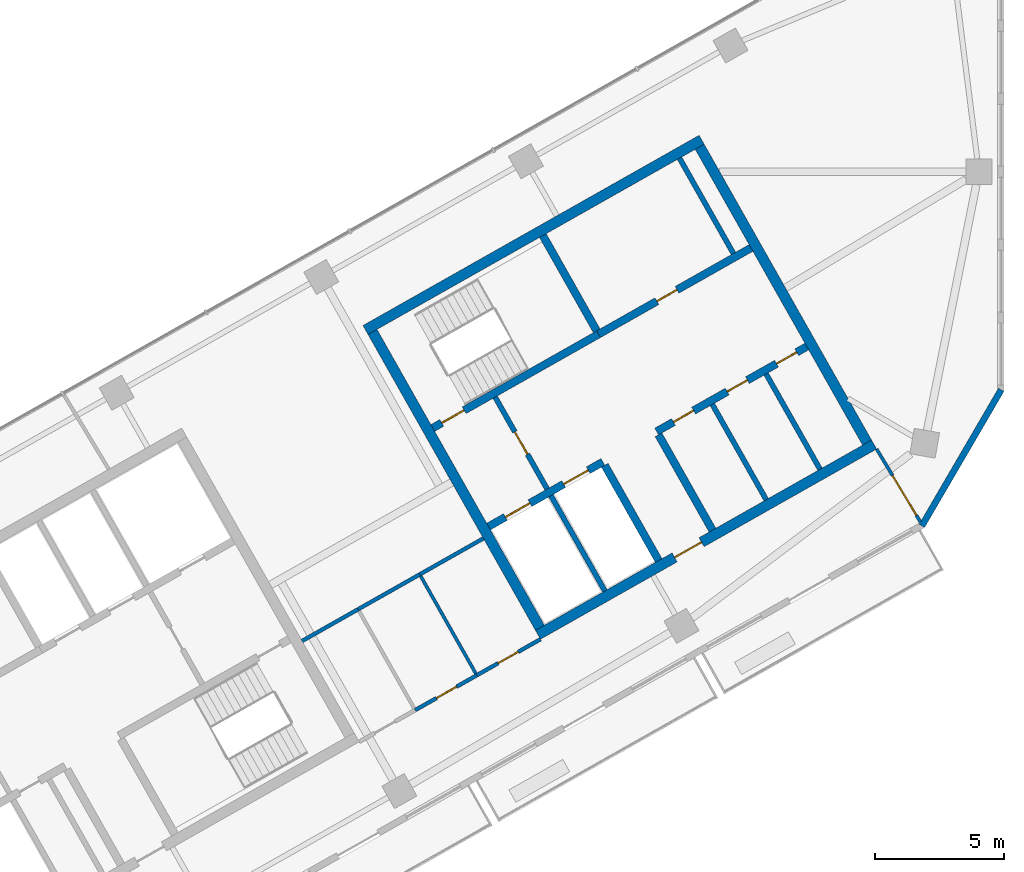
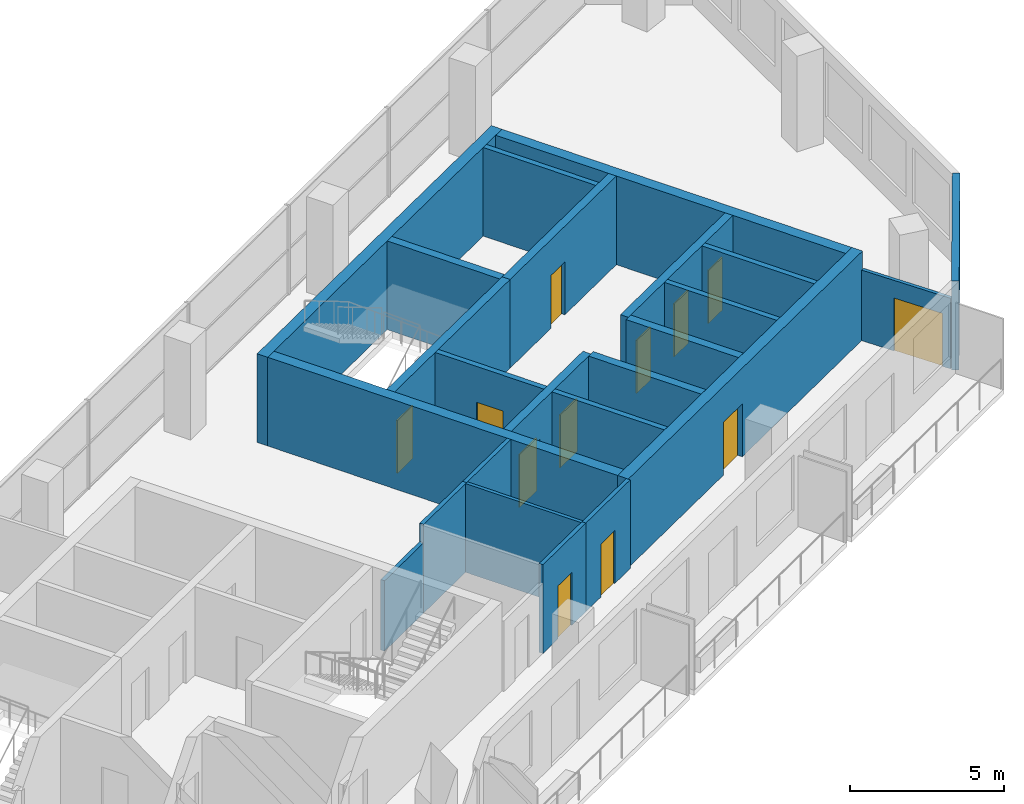
# One storey, part 7 of 10: 24 walls, 12 doors, 12 openings.
"""IFC4 building model written with IfcOpenShell, lengths in metres."""

from ifc_helpers import new_model, si_unit, direction, frame, frame_2d, origin, place, context, subcontext, project, spatial, rectangle, extrude, material, layer, layer_set, type_object, element, fill, save


model = new_model("IFC4")

# Units and contexts
model_context = context("Model", 3, precision=1e-05, world=origin(), true_north=direction((0.0, 1.0)))
body_context = subcontext(model_context, "Body", "Model", "MODEL_VIEW")
ifc_project = project(units=[si_unit("LENGTHUNIT", "METRE"), si_unit("AREAUNIT", "SQUARE_METRE"), si_unit("VOLUMEUNIT", "CUBIC_METRE"), si_unit("PLANEANGLEUNIT", "RADIAN"), si_unit("MASSUNIT", "GRAM", prefix="KILO")], contexts=[model_context])

# Site, building, storey
site_placement = place(None, origin())
site = spatial("IfcSite", under=ifc_project, at=site_placement, CompositionType="ELEMENT")
building_placement = place(site_placement, origin())
building = spatial("IfcBuilding", under=site, at=building_placement, Name="Binnacle Exchange Tower", CompositionType="ELEMENT")
storey_placement = place(building_placement, frame((0.0, 0.0, 335.5)))
storey = spatial("IfcBuildingStorey", under=building, at=storey_placement, Name="L76", CompositionType="ELEMENT", Elevation=335.5)

# Walls
ifc_material_1 = material(Name="Gypsum partition fire rated")
ifc_layer_1 = layer(ifc_material_1, 0.199951171875)
ifc_layer_set_1 = layer_set([ifc_layer_1], Name="Core partition 200")
wall_type_1 = type_object("IfcWallType", Name="Core partition 200", PredefinedType="PARTITIONING", material=ifc_layer_set_1)
wall_1_placement = place(storey_placement, frame((-11.201904296875, 50.96240234375, 0.0), z_axis=(0.0, 0.0, 1.0), x_axis=(0.492441437811, -0.870345580977, 0.0)))
element("IfcWall", 1, at=wall_1_placement, inside=storey, type_object=wall_type_1, Name="Core wall CRWC19", PredefinedType="PARTITIONING", context=body_context, shape_type="SweptSolid", body=[
    extrude(rectangle(XDim=4.250244140625, YDim=0.199951171875, at=frame_2d((2.125, 0.0))), origin(), (0.0, 0.0, 1.0), 3.52001953125),
])
wall_2_placement = place(storey_placement, frame((-9.11279296875, 52.14404296875, 0.0), z_axis=(0.0, 0.0, 1.0), x_axis=(0.492422543467, -0.870356271124, 0.0)))
element("IfcWall", 2, at=wall_2_placement, inside=storey, type_object=wall_type_1, Name="Core wall CRWC22", PredefinedType="PARTITIONING", context=body_context, shape_type="SweptSolid", body=[
    extrude(rectangle(XDim=4.25, YDim=0.199951171875, at=frame_2d((2.125, 0.0))), origin(), (0.0, 0.0, 1.0), 3.52001953125),
])

# Wall, openings, doors
ifc_material_2 = material(Name="Concrete C70/85", Category="concrete")
ifc_layer_2 = layer(ifc_material_2, 0.300048828125)
ifc_layer_set_2 = layer_set([ifc_layer_2], Name="Core wall - front 300")
wall_type_2 = type_object("IfcWallType", Name="Core wall - front 300", PredefinedType="SOLIDWALL", material=ifc_layer_set_2)
wall_3_placement = place(storey_placement, frame((-19.89208984375, 46.2177734375, 0.0), z_axis=(0.0, 0.0, 1.0), x_axis=(0.870341639186, 0.492448404505, 0.0)))
wall_3 = element("IfcWall", 3, at=wall_3_placement, inside=storey, type_object=wall_type_2, Name="Core wall CRWC2", PredefinedType="SOLIDWALL", context=body_context, shape_type="SweptSolid", body=[
    extrude(rectangle(XDim=5.099853515625, YDim=0.300048828125, at=frame_2d((2.5498046875, 0.0))), origin(), (0.0, 0.0, 1.0), 3.52001953125),
])
opening_1_placement = place(wall_3_placement, frame((0.75, 0.0, 0.0)))
opening_1 = element("IfcOpeningElement", 4, at=opening_1_placement, cuts=wall_3, Name="Opening LD14", PredefinedType="OPENING", context=body_context, shape_type="SweptSolid", body=[
    extrude(rectangle(XDim=1.10009765625, YDim=2.10009765625, at=frame_2d((0.550048828125, 1.050048828125))), frame((0.0, 0.159912109375, 0.0), z_axis=(0.0, -1.0, 0.0), x_axis=(1.0, 0.0, 0.0)), (0.0, 0.0, 1.0), 0.320068359375),
])
opening_2_placement = place(wall_3_placement, frame((3.35009765625, 0.0, 0.0)))
opening_2 = element("IfcOpeningElement", 5, at=opening_2_placement, cuts=wall_3, Name="Opening LD11", PredefinedType="OPENING", context=body_context, shape_type="SweptSolid", body=[
    extrude(rectangle(XDim=1.10009765625, YDim=2.10009765625, at=frame_2d((0.550048828125, 1.050048828125))), frame((0.0, 0.159912109375, 0.0), z_axis=(0.0, -1.0, 0.0), x_axis=(1.0, 0.0, 0.0)), (0.0, 0.0, 1.0), 0.320068359375),
])
ifc_material_3 = material(Name="Steel door leaf", Category="steel")
door_type_1 = type_object("IfcDoorType", Name="Fire door - lift landing 1100", OperationType="NOTDEFINED", PredefinedType="DOOR", material=ifc_material_3)
door_1_placement = place(opening_1_placement, origin())
door_1 = element("IfcDoor", 6, at=door_1_placement, inside=storey, type_object=door_type_1, Name="Landing door LD14 L76", OperationType="DOUBLE_DOOR_SLIDING", OverallHeight=2.10009765625, OverallWidth=1.10009765625, PredefinedType="DOOR", context=body_context, shape_type="SweptSolid", body=[
    extrude(rectangle(XDim=1.10009765625, YDim=2.10009765625, at=frame_2d((0.550048828125, 1.050048828125))), frame((0.0, 0.02490234375, 0.0), z_axis=(0.0, -1.0, 0.0), x_axis=(1.0, 0.0, 0.0)), (0.0, 0.0, 1.0), 0.050048828125),
])
fill(opening_1, door_1)
door_2_placement = place(opening_2_placement, origin())
door_2 = element("IfcDoor", 7, at=door_2_placement, inside=storey, type_object=door_type_1, Name="Landing door LD11 L76", OperationType="DOUBLE_DOOR_SLIDING", OverallHeight=2.10009765625, OverallWidth=1.10009765625, PredefinedType="DOOR", context=body_context, shape_type="SweptSolid", body=[
    extrude(rectangle(XDim=1.10009765625, YDim=2.10009765625, at=frame_2d((0.550048828125, 1.050048828125))), frame((0.0, 0.02490234375, 0.0), z_axis=(0.0, -1.0, 0.0), x_axis=(1.0, 0.0, 0.0)), (0.0, 0.0, 1.0), 0.050048828125),
])
fill(opening_2, door_2)

wall_4_placement = place(storey_placement, frame((-13.364501953125, 49.910888671875, 0.0), z_axis=(0.0, 0.0, 1.0), x_axis=(0.870347618718, 0.492437836272, 0.0)))
wall_4 = element("IfcWall", 8, at=wall_4_placement, inside=storey, type_object=wall_type_2, Name="Core wall CRWC3", PredefinedType="SOLIDWALL", context=body_context, shape_type="SweptSolid", body=[
    extrude(rectangle(XDim=6.699951171875, YDim=0.300048828125, at=frame_2d((3.35009765625, 0.0))), origin(), (0.0, 0.0, 1.0), 3.52001953125),
])
opening_3_placement = place(wall_4_placement, frame((0.75, 0.0, 0.0)))
opening_3 = element("IfcOpeningElement", 9, at=opening_3_placement, cuts=wall_4, Name="Opening DC18", PredefinedType="OPENING", context=body_context, shape_type="SweptSolid", body=[
    extrude(rectangle(XDim=0.89990234375, YDim=2.10009765625, at=frame_2d((0.449951171875, 1.050048828125))), frame((0.0, 0.159912109375, 0.0), z_axis=(0.0, -1.0, 0.0), x_axis=(1.0, 0.0, 0.0)), (0.0, 0.0, 1.0), 0.320068359375),
])
opening_4_placement = place(wall_4_placement, frame((3.14990234375, 0.0, 0.0)))
opening_4 = element("IfcOpeningElement", 10, at=opening_4_placement, cuts=wall_4, Name="Opening DC19", PredefinedType="OPENING", context=body_context, shape_type="SweptSolid", body=[
    extrude(rectangle(XDim=0.89990234375, YDim=2.10009765625, at=frame_2d((0.449951171875, 1.050048828125))), frame((0.0, 0.159912109375, 0.0), z_axis=(0.0, -1.0, 0.0), x_axis=(1.0, 0.0, 0.0)), (0.0, 0.0, 1.0), 0.320068359375),
])
opening_5_placement = place(wall_4_placement, frame((5.35009765625, 0.0, 0.0)))
opening_5 = element("IfcOpeningElement", 11, at=opening_5_placement, cuts=wall_4, Name="Opening DC20", PredefinedType="OPENING", context=body_context, shape_type="SweptSolid", body=[
    extrude(rectangle(XDim=0.89990234375, YDim=2.10009765625, at=frame_2d((0.449951171875, 1.050048828125))), frame((0.0, 0.159912109375, 0.0), z_axis=(0.0, -1.0, 0.0), x_axis=(1.0, 0.0, 0.0)), (0.0, 0.0, 1.0), 0.320068359375),
])
door_type_2 = type_object("IfcDoorType", Name="Fire door 900", OperationType="NOTDEFINED", PredefinedType="DOOR", material=ifc_material_3)
door_3_placement = place(opening_3_placement, frame((0.89990234375, 0.0, 0.0), z_axis=(0.0, 0.0, 1.0), x_axis=(-1.0, 0.0, 0.0)))
door_3 = element("IfcDoor", 12, at=door_3_placement, inside=storey, type_object=door_type_2, Name="Core room door FIBRE ENTRY ROOM", OperationType="SINGLE_SWING_RIGHT", OverallHeight=2.10009765625, OverallWidth=0.89990234375, PredefinedType="DOOR", context=body_context, shape_type="SweptSolid", body=[
    extrude(rectangle(XDim=0.89990234375, YDim=2.10009765625, at=frame_2d((0.449951171875, 1.050048828125))), frame((0.0, 0.02490234375, 0.0), z_axis=(0.0, -1.0, 0.0), x_axis=(1.0, 0.0, 0.0)), (0.0, 0.0, 1.0), 0.050048828125),
])
fill(opening_3, door_3)
door_4_placement = place(opening_4_placement, frame((0.89990234375, 0.0, 0.0), z_axis=(0.0, 0.0, 1.0), x_axis=(-1.0, 0.0, 0.0)))
door_4 = element("IfcDoor", 13, at=door_4_placement, inside=storey, type_object=door_type_2, Name="Core room door ELECTRICAL ROOM", OperationType="SINGLE_SWING_LEFT", OverallHeight=2.10009765625, OverallWidth=0.89990234375, PredefinedType="DOOR", context=body_context, shape_type="SweptSolid", body=[
    extrude(rectangle(XDim=0.89990234375, YDim=2.10009765625, at=frame_2d((0.449951171875, 1.050048828125))), frame((0.0, 0.02490234375, 0.0), z_axis=(0.0, -1.0, 0.0), x_axis=(1.0, 0.0, 0.0)), (0.0, 0.0, 1.0), 0.050048828125),
])
fill(opening_4, door_4)
door_5_placement = place(opening_5_placement, frame((0.89990234375, 0.0, 0.0), z_axis=(0.0, 0.0, 1.0), x_axis=(-1.0, 0.0, 0.0)))
door_5 = element("IfcDoor", 14, at=door_5_placement, inside=storey, type_object=door_type_2, Name="Core room door COMMS RISER ROOM", OperationType="SINGLE_SWING_LEFT", OverallHeight=2.10009765625, OverallWidth=0.89990234375, PredefinedType="DOOR", context=body_context, shape_type="SweptSolid", body=[
    extrude(rectangle(XDim=0.89990234375, YDim=2.10009765625, at=frame_2d((0.449951171875, 1.050048828125))), frame((0.0, 0.02490234375, 0.0), z_axis=(0.0, -1.0, 0.0), x_axis=(1.0, 0.0, 0.0)), (0.0, 0.0, 1.0), 0.050048828125),
])
fill(opening_5, door_5)

# Wall, opening, door
wall_5_placement = place(storey_placement, frame((-15.6181640625, 53.69140625, 0.0), z_axis=(0.0, 0.0, 1.0), x_axis=(0.870362830851, 0.492410948978, 0.0)))
wall_5 = element("IfcWall", 15, at=wall_5_placement, inside=storey, type_object=wall_type_2, Name="Core wall CRWC5", PredefinedType="SOLIDWALL", context=body_context, shape_type="SweptSolid", body=[
    extrude(rectangle(XDim=6.800048828125, YDim=0.300048828125, at=frame_2d((3.39990234375, 0.0))), origin(), (0.0, 0.0, 1.0), 3.52001953125),
])
opening_6_placement = place(wall_5_placement, frame((2.60009765625, 0.0, 0.0)))
opening_6 = element("IfcOpeningElement", 16, at=opening_6_placement, cuts=wall_5, Name="Opening DC10", PredefinedType="OPENING", context=body_context, shape_type="SweptSolid", body=[
    extrude(rectangle(XDim=0.89990234375, YDim=2.10009765625, at=frame_2d((0.449951171875, 1.050048828125))), frame((0.0, 0.159912109375, 0.0), z_axis=(0.0, -1.0, 0.0), x_axis=(1.0, 0.0, 0.0)), (0.0, 0.0, 1.0), 0.320068359375),
])
door_6_placement = place(opening_6_placement, origin())
door_6 = element("IfcDoor", 17, at=door_6_placement, inside=storey, type_object=door_type_2, Name="Core room door WORKSHOP STORE", OperationType="SINGLE_SWING_LEFT", OverallHeight=2.10009765625, OverallWidth=0.89990234375, PredefinedType="DOOR", context=body_context, shape_type="SweptSolid", body=[
    extrude(rectangle(XDim=0.89990234375, YDim=2.10009765625, at=frame_2d((0.449951171875, 1.050048828125))), frame((0.0, 0.02490234375, 0.0), z_axis=(0.0, -1.0, 0.0), x_axis=(1.0, 0.0, 0.0)), (0.0, 0.0, 1.0), 0.050048828125),
])
fill(opening_6, door_6)

# Walls
wall_6_placement = place(storey_placement, frame((-15.37939453125, 48.5986328125, 0.0), z_axis=(0.0, 0.0, 1.0), x_axis=(0.492422543467, -0.870356271124, 0.0)))
element("IfcWall", 18, at=wall_6_placement, inside=storey, type_object=wall_type_2, Name="Core wall CRWC13", PredefinedType="SOLIDWALL", context=body_context, shape_type="SweptSolid", body=[
    extrude(rectangle(XDim=4.25, YDim=0.300048828125, at=frame_2d((2.125, 0.0))), origin(), (0.0, 0.0, 1.0), 3.52001953125),
])
wall_7_placement = place(storey_placement, frame((-13.29052734375, 49.780517578125, 0.0), z_axis=(0.0, 0.0, 1.0), x_axis=(0.492397924348, -0.870370199454, 0.0)))
element("IfcWall", 19, at=wall_7_placement, inside=storey, type_object=wall_type_2, Name="Core wall CRWC15", PredefinedType="SOLIDWALL", context=body_context, shape_type="SweptSolid", body=[
    extrude(rectangle(XDim=4.250244140625, YDim=0.300048828125, at=frame_2d((2.125, 0.0))), origin(), (0.0, 0.0, 1.0), 3.52001953125),
])

# Wall, opening, door
ifc_layer_3 = layer(ifc_material_2, 0.39990234375)
ifc_layer_set_3 = layer_set([ifc_layer_3], Name="Core wall - outer 400")
wall_type_3 = type_object("IfcWallType", Name="Core wall - outer 400", PredefinedType="SOLIDWALL", material=ifc_layer_set_3)
wall_8_placement = place(storey_placement, frame((-17.97509765625, 42.01708984375, 0.0), z_axis=(0.0, 0.0, 1.0), x_axis=(0.87034965173, 0.492434243055, 0.0)))
wall_8 = element("IfcWall", 20, at=wall_8_placement, inside=storey, type_object=wall_type_3, Name="Core wall CRWC1", PredefinedType="SOLIDWALL", context=body_context, shape_type="SweptSolid", body=[
    extrude(rectangle(XDim=15.0, YDim=0.39990234375, at=frame_2d((7.5, 0.0))), origin(), (0.0, 0.0, 1.0), 3.52001953125),
])
opening_7_placement = place(wall_8_placement, frame((6.10009765625, 0.0, 0.0)))
opening_7 = element("IfcOpeningElement", 21, at=opening_7_placement, cuts=wall_8, Name="Opening DC7", PredefinedType="OPENING", context=body_context, shape_type="SweptSolid", body=[
    extrude(rectangle(XDim=1.199951171875, YDim=2.10009765625, at=frame_2d((0.60009765625, 1.050048828125))), frame((0.0, 0.2099609375, 0.0), z_axis=(0.0, -1.0, 0.0), x_axis=(1.0, 0.0, 0.0)), (0.0, 0.0, 1.0), 0.419921875),
])
door_type_3 = type_object("IfcDoorType", Name="Fire door 1200", OperationType="NOTDEFINED", PredefinedType="DOOR", material=ifc_material_3)
door_7_placement = place(opening_7_placement, frame((1.199951171875, 0.0, 0.0), z_axis=(0.0, 0.0, 1.0), x_axis=(-1.0, 0.0, 0.0)))
door_7 = element("IfcDoor", 22, at=door_7_placement, inside=storey, type_object=door_type_3, Name="Lift lobby entrance door core C", OperationType="SINGLE_SWING_RIGHT", OverallHeight=2.10009765625, OverallWidth=1.199951171875, PredefinedType="DOOR", context=body_context, shape_type="SweptSolid", body=[
    extrude(rectangle(XDim=1.199951171875, YDim=2.10009765625, at=frame_2d((0.60009765625, 1.050048828125))), frame((0.0, 0.02490234375, 0.0), z_axis=(0.0, -1.0, 0.0), x_axis=(1.0, 0.0, 0.0)), (0.0, 0.0, 1.0), 0.050048828125),
])
fill(opening_7, door_7)

# Walls
wall_9_placement = place(storey_placement, frame((-24.672119140625, 53.85400390625, 0.0), z_axis=(0.0, 0.0, 1.0), x_axis=(0.870353598469, 0.492427267353, 0.0)))
element("IfcWall", 23, at=wall_9_placement, inside=storey, type_object=wall_type_3, Name="Core wall CRWC6", PredefinedType="SOLIDWALL", context=body_context, shape_type="SweptSolid", body=[
    extrude(rectangle(XDim=15.000244140625, YDim=0.39990234375, at=frame_2d((7.5, 0.0))), origin(), (0.0, 0.0, 1.0), 3.52001953125),
])
for number, where, z_axis, x_axis, name in (
    (24, (-24.399658203125, 53.778564453125, 0.0), (0.0, 0.0, 1.0), (0.492421663121, -0.870356769198, 0.0), "Core wall CRWC7"),
    (25, (-11.6923828125, 60.968017578125, 0.0), (0.0, 0.0, 1.0), (0.492421663121, -0.870356769198, 0.0), "Core wall CRWC24"),
):
    element("IfcWall", number, at=place(storey_placement, frame(where, z_axis=z_axis, x_axis=x_axis)), inside=storey, type_object=wall_type_3, Name=name, PredefinedType="SOLIDWALL", context=body_context, shape_type="SweptSolid", body=[
        extrude(rectangle(XDim=13.199951171875, YDim=0.39990234375, at=frame_2d((6.60009765625, 0.0))), origin(), (0.0, 0.0, 1.0), 3.52001953125),
    ])

# Wall, opening, door
ifc_layer_4 = layer(ifc_material_2, 0.300048828125)
ifc_layer_set_4 = layer_set([ifc_layer_4], Name="Core wall - stair 300")
wall_type_4 = type_object("IfcWallType", Name="Core wall - stair 300", PredefinedType="SOLIDWALL", material=ifc_layer_set_4)
wall_10_placement = place(storey_placement, frame((-22.058837890625, 50.04736328125, 0.0), z_axis=(0.0, 0.0, 1.0), x_axis=(0.87035077051, 0.49243226567, 0.0)))
wall_10 = element("IfcWall", 26, at=wall_10_placement, inside=storey, type_object=wall_type_4, Name="Core wall CRWC4", PredefinedType="SOLIDWALL", context=body_context, shape_type="SweptSolid", body=[
    extrude(rectangle(XDim=7.400146484375, YDim=0.300048828125, at=frame_2d((3.7001953125, 0.0))), origin(), (0.0, 0.0, 1.0), 3.52001953125),
])
opening_8_placement = place(wall_10_placement, frame((0.39990234375, 0.0, 0.0)))
opening_8 = element("IfcOpeningElement", 27, at=opening_8_placement, cuts=wall_10, Name="Opening DC1", PredefinedType="OPENING", context=body_context, shape_type="SweptSolid", body=[
    extrude(rectangle(XDim=1.0, YDim=2.10009765625, at=frame_2d((0.5, 1.050048828125))), frame((0.0, 0.159912109375, 0.0), z_axis=(0.0, -1.0, 0.0), x_axis=(1.0, 0.0, 0.0)), (0.0, 0.0, 1.0), 0.320068359375),
])
door_type_4 = type_object("IfcDoorType", Name="Fire door 1000", OperationType="NOTDEFINED", PredefinedType="DOOR", material=ifc_material_3)
door_8_placement = place(opening_8_placement, origin())
door_8 = element("IfcDoor", 28, at=door_8_placement, inside=storey, type_object=door_type_4, Name="Stair door ST-C1", OperationType="SINGLE_SWING_LEFT", OverallHeight=2.10009765625, OverallWidth=1.0, PredefinedType="DOOR", context=body_context, shape_type="SweptSolid", body=[
    extrude(rectangle(XDim=1.0, YDim=2.10009765625, at=frame_2d((0.5, 1.050048828125))), frame((0.0, 0.02490234375, 0.0), z_axis=(0.0, -1.0, 0.0), x_axis=(1.0, 0.0, 0.0)), (0.0, 0.0, 1.0), 0.050048828125),
])
fill(opening_8, door_8)

# Walls
wall_11_placement = place(storey_placement, frame((-17.784912109375, 57.52099609375, 0.0), z_axis=(0.0, 0.0, 1.0), x_axis=(0.492422543467, -0.870356271124, 0.0)))
element("IfcWall", 29, at=wall_11_placement, inside=storey, type_object=wall_type_4, Name="Core wall CRWC14", PredefinedType="SOLIDWALL", context=body_context, shape_type="SweptSolid", body=[
    extrude(rectangle(XDim=4.25, YDim=0.300048828125, at=frame_2d((2.125, 0.0))), origin(), (0.0, 0.0, 1.0), 3.52001953125),
])
ifc_material_4 = material(Name="Bronze aluminium cladding", Category="aluminium")
ifc_layer_5 = layer(ifc_material_4, 0.25)
ifc_layer_set_5 = layer_set([ifc_layer_5], Name="External wall - window wall 250")
wall_type_5 = type_object("IfcWallType", Name="External wall - window wall 250", PredefinedType="STANDARD", material=ifc_layer_set_5)
wall_12_placement = place(storey_placement, frame((0.01708984375, 51.529296875, 0.0), z_axis=(0.0, 0.0, 1.0), x_axis=(-0.503769237131, -0.863838269424, 0.0)))
element("IfcWall", 30, at=wall_12_placement, inside=storey, type_object=wall_type_5, Name="External wall EW-H00 L76", PredefinedType="STANDARD", context=body_context, shape_type="SweptSolid", body=[
    extrude(rectangle(XDim=6.114501953125, YDim=0.25, at=frame_2d((3.05712890625, 0.0))), origin(), (0.0, 0.0, 1.0), 3.52001953125),
])

# Wall, opening, door
ifc_material_5 = material(Name="Masonry block wall", Category="masonry")
ifc_layer_6 = layer(ifc_material_5, 0.199951171875)
ifc_layer_set_6 = layer_set([ifc_layer_6], Name="Fire wall - vestibule 200")
wall_type_6 = type_object("IfcWallType", Name="Fire wall - vestibule 200", PredefinedType="PARTITIONING", material=ifc_layer_set_6)
wall_13_placement = place(storey_placement, frame((-19.635009765625, 51.246337890625, 0.0), z_axis=(0.0, 0.0, 1.0), x_axis=(0.492408451753, -0.87036424366, 0.0)))
wall_13 = element("IfcWall", 31, at=wall_13_placement, inside=storey, type_object=wall_type_6, Name="Core wall CRWC10", PredefinedType="PARTITIONING", context=body_context, shape_type="SweptSolid", body=[
    extrude(rectangle(XDim=4.099853515625, YDim=0.199951171875, at=frame_2d((2.0498046875, 0.0))), origin(), (0.0, 0.0, 1.0), 3.52001953125),
])
opening_9_placement = place(wall_13_placement, frame((1.550048828125, 0.0, 0.0)))
opening_9 = element("IfcOpeningElement", 32, at=opening_9_placement, cuts=wall_13, Name="Opening DC3", PredefinedType="OPENING", context=body_context, shape_type="SweptSolid", body=[
    extrude(rectangle(XDim=1.0, YDim=2.10009765625, at=frame_2d((0.5, 1.050048828125))), frame((0.0, 0.10986328125, 0.0), z_axis=(0.0, -1.0, 0.0), x_axis=(1.0, 0.0, 0.0)), (0.0, 0.0, 1.0), 0.219970703125),
])
door_9_placement = place(opening_9_placement, frame((1.0, 0.0, 0.0), z_axis=(0.0, 0.0, 1.0), x_axis=(-1.0, 0.0, 0.0)))
door_9 = element("IfcDoor", 33, at=door_9_placement, inside=storey, type_object=door_type_4, Name="Vestibule door VEST-W", OperationType="SINGLE_SWING_RIGHT", OverallHeight=2.10009765625, OverallWidth=1.0, PredefinedType="DOOR", context=body_context, shape_type="SweptSolid", body=[
    extrude(rectangle(XDim=1.0, YDim=2.10009765625, at=frame_2d((0.5, 1.050048828125))), frame((0.0, 0.02490234375, 0.0), z_axis=(0.0, -1.0, 0.0), x_axis=(1.0, 0.0, 0.0)), (0.0, 0.0, 1.0), 0.050048828125),
])
fill(opening_9, door_9)

# Walls
ifc_layer_7 = layer(ifc_material_1, 0.14990234375)
ifc_layer_set_7 = layer_set([ifc_layer_7], Name="Fire-rated partition 150")
wall_type_7 = type_object("IfcWallType", Name="Fire-rated partition 150", PredefinedType="PARTITIONING", material=ifc_layer_set_7)
wall_14_placement = place(storey_placement, frame((-27.134033203125, 41.77587890625, 0.0), z_axis=(0.0, 0.0, 1.0), x_axis=(0.870249744125, 0.492610782312, 0.0)))
element("IfcWall", 34, at=wall_14_placement, inside=storey, type_object=wall_type_7, Name="Partition W03", PredefinedType="PARTITIONING", context=body_context, shape_type="SweptSolid", body=[
    extrude(rectangle(XDim=2.499267578125, YDim=0.14990234375, at=frame_2d((1.24951171875, 0.0))), origin(), (0.0, 0.0, 1.0), 2.7919921875),
])
wall_15_placement = place(storey_placement, frame((-24.958984375, 43.007080078125, 0.0), z_axis=(0.0, 0.0, 1.0), x_axis=(0.870430549821, 0.492291232848, 0.0)))
element("IfcWall", 35, at=wall_15_placement, inside=storey, type_object=wall_type_7, Name="Partition W05", PredefinedType="PARTITIONING", context=body_context, shape_type="SweptSolid", body=[
    extrude(rectangle(XDim=2.75048828125, YDim=0.14990234375, at=frame_2d((1.375244140625, 0.0))), origin(), (0.0, 0.0, 1.0), 3.52001953125),
])

# Wall, opening, door
wall_16_placement = place(storey_placement, frame((-22.742919921875, 39.090087890625, 0.0), z_axis=(0.0, 0.0, 1.0), x_axis=(0.870409035047, 0.492329271634, 0.0)))
wall_16 = element("IfcWall", 36, at=wall_16_placement, inside=storey, type_object=wall_type_7, Name="Partition W07", PredefinedType="PARTITIONING", context=body_context, shape_type="SweptSolid", body=[
    extrude(rectangle(XDim=2.750244140625, YDim=0.14990234375, at=frame_2d((1.375, 0.0))), origin(), (0.0, 0.0, 1.0), 3.52001953125),
])
opening_10_placement = place(wall_16_placement, frame((0.949951171875, 0.0, 0.0)))
opening_10 = element("IfcOpeningElement", 37, at=opening_10_placement, cuts=wall_16, Name="Opening DL74-02", PredefinedType="OPENING", context=body_context, shape_type="SweptSolid", body=[
    extrude(rectangle(XDim=0.89990234375, YDim=2.10009765625, at=frame_2d((0.449951171875, 1.050048828125))), frame((0.0, 0.0849609375, 0.0), z_axis=(0.0, -1.0, 0.0), x_axis=(1.0, 0.0, 0.0)), (0.0, 0.0, 1.0), 0.169921875),
])
door_10_placement = place(opening_10_placement, origin())
door_10 = element("IfcDoor", 38, at=door_10_placement, inside=storey, type_object=door_type_2, Name="Door DL74-02", OperationType="SINGLE_SWING_RIGHT", OverallHeight=2.10009765625, OverallWidth=0.89990234375, PredefinedType="DOOR", context=body_context, shape_type="SweptSolid", body=[
    extrude(rectangle(XDim=0.89990234375, YDim=2.10009765625, at=frame_2d((0.449951171875, 1.050048828125))), frame((0.0, 0.02490234375, 0.0), z_axis=(0.0, -1.0, 0.0), x_axis=(1.0, 0.0, 0.0)), (0.0, 0.0, 1.0), 0.050048828125),
])
fill(opening_10, door_10)

# Wall
wall_17_placement = place(storey_placement, frame((-22.56494140625, 44.361083984375, 0.0), z_axis=(0.0, 0.0, 1.0), x_axis=(0.87029856663, 0.492524522152, 0.0)))
element("IfcWall", 39, at=wall_17_placement, inside=storey, type_object=wall_type_7, Name="Partition W09", PredefinedType="PARTITIONING", context=body_context, shape_type="SweptSolid", body=[
    extrude(rectangle(XDim=2.84033203125, YDim=0.14990234375, at=frame_2d((1.420166015625, 0.0))), origin(), (0.0, 0.0, 1.0), 3.52001953125),
])

# Wall, opening, door
wall_18_placement = place(storey_placement, frame((-20.34912109375, 40.444091796875, 0.0), z_axis=(0.0, 0.0, 1.0), x_axis=(0.87031941539, 0.492487680247, 0.0)))
wall_18 = element("IfcWall", 40, at=wall_18_placement, inside=storey, type_object=wall_type_7, Name="Partition W10", PredefinedType="PARTITIONING", context=body_context, shape_type="SweptSolid", body=[
    extrude(rectangle(XDim=2.840576171875, YDim=0.14990234375, at=frame_2d((1.42041015625, 0.0))), origin(), (0.0, 0.0, 1.0), 3.52001953125),
])
opening_11_placement = place(wall_18_placement, frame((0.949951171875, 0.0, 0.0)))
opening_11 = element("IfcOpeningElement", 41, at=opening_11_placement, cuts=wall_18, Name="Opening DL74-03", PredefinedType="OPENING", context=body_context, shape_type="SweptSolid", body=[
    extrude(rectangle(XDim=0.89990234375, YDim=2.10009765625, at=frame_2d((0.449951171875, 1.050048828125))), frame((0.0, 0.0849609375, 0.0), z_axis=(0.0, -1.0, 0.0), x_axis=(1.0, 0.0, 0.0)), (0.0, 0.0, 1.0), 0.169921875),
])
door_11_placement = place(opening_11_placement, origin())
door_11 = element("IfcDoor", 42, at=door_11_placement, inside=storey, type_object=door_type_2, Name="Door DL74-03", OperationType="SINGLE_SWING_LEFT", OverallHeight=2.10009765625, OverallWidth=0.89990234375, PredefinedType="DOOR", context=body_context, shape_type="SweptSolid", body=[
    extrude(rectangle(XDim=0.89990234375, YDim=2.10009765625, at=frame_2d((0.449951171875, 1.050048828125))), frame((0.0, 0.02490234375, 0.0), z_axis=(0.0, -1.0, 0.0), x_axis=(1.0, 0.0, 0.0)), (0.0, 0.0, 1.0), 0.050048828125),
])
fill(opening_11, door_11)

# Wall
ifc_material_6 = material(Name="Gypsum partition")
ifc_layer_8 = layer(ifc_material_6, 0.125)
ifc_layer_set_8 = layer_set([ifc_layer_8], Name="Partition 125")
wall_type_8 = type_object("IfcWallType", Name="Partition 125", PredefinedType="PARTITIONING", material=ifc_layer_set_8)
wall_19_placement = place(storey_placement, frame((-22.56494140625, 44.361083984375, 0.0), z_axis=(0.0, 0.0, 1.0), x_axis=(0.492371842706, -0.870384954207, 0.0)))
element("IfcWall", 43, at=wall_19_placement, inside=storey, type_object=wall_type_8, Name="Partition W08", PredefinedType="PARTITIONING", context=body_context, shape_type="SweptSolid", body=[
    extrude(rectangle(XDim=4.500244140625, YDim=0.125, at=frame_2d((2.25, 0.0))), origin(), (0.0, 0.0, 1.0), 3.52001953125),
])

# Wall, opening, door
wall_20_placement = place(storey_placement, frame((-4.821044921875, 49.22998046875, 0.0), z_axis=(0.0, 0.0, 1.0), x_axis=(0.515006587647, -0.857186219371, 0.0)))
wall_20 = element("IfcWall", 44, at=wall_20_placement, inside=storey, type_object=wall_type_8, Name="Partition W11", PredefinedType="PARTITIONING", context=body_context, shape_type="SweptSolid", body=[
    extrude(rectangle(XDim=3.302734375, YDim=0.125, at=frame_2d((1.6513671875, 0.0))), origin(), (0.0, 0.0, 1.0), 2.800048828125),
])
opening_12_placement = place(wall_20_placement, frame((1.199951171875, 0.0, 0.0)))
opening_12 = element("IfcOpeningElement", 45, at=opening_12_placement, cuts=wall_20, Name="Opening DL74-05", PredefinedType="OPENING", context=body_context, shape_type="SweptSolid", body=[
    extrude(rectangle(XDim=1.800048828125, YDim=2.10009765625, at=frame_2d((0.89990234375, 1.050048828125))), frame((0.0, 0.072509765625, 0.0), z_axis=(0.0, -1.0, 0.0), x_axis=(1.0, 0.0, 0.0)), (0.0, 0.0, 1.0), 0.14501953125),
])
ifc_material_7 = material(Name="Timber door leaf", Category="wood")
door_type_5 = type_object("IfcDoorType", Name="Double door 1800", OperationType="NOTDEFINED", PredefinedType="DOOR", material=ifc_material_7)
door_12_placement = place(opening_12_placement, origin())
door_12 = element("IfcDoor", 46, at=door_12_placement, inside=storey, type_object=door_type_5, Name="Door DL74-05", OperationType="DOUBLE_DOOR_SINGLE_SWING", OverallHeight=2.10009765625, OverallWidth=1.800048828125, PredefinedType="DOOR", context=body_context, shape_type="SweptSolid", body=[
    extrude(rectangle(XDim=1.800048828125, YDim=2.10009765625, at=frame_2d((0.89990234375, 1.050048828125))), frame((0.0, 0.02490234375, 0.0), z_axis=(0.0, -1.0, 0.0), x_axis=(1.0, 0.0, 0.0)), (0.0, 0.0, 1.0), 0.050048828125),
])
fill(opening_12, door_12)

# Walls
ifc_layer_9 = layer(ifc_material_5, 0.199951171875)
ifc_layer_set_9 = layer_set([ifc_layer_9], Name="Riser wall 200")
wall_type_9 = type_object("IfcWallType", Name="Riser wall 200", PredefinedType="SOLIDWALL", material=ifc_layer_set_9)
wall_21_placement = place(storey_placement, frame((-12.4755859375, 60.524658203125, 0.0), z_axis=(0.0, 0.0, 1.0), x_axis=(0.492422543467, -0.870356271124, 0.0)))
element("IfcWall", 47, at=wall_21_placement, inside=storey, type_object=wall_type_9, Name="Core wall CRWC23", PredefinedType="SOLIDWALL", context=body_context, shape_type="SweptSolid", body=[
    extrude(rectangle(XDim=4.25, YDim=0.199951171875, at=frame_2d((2.125, 0.0))), origin(), (0.0, 0.0, 1.0), 3.52001953125),
])
ifc_layer_10 = layer(ifc_material_5, 0.199951171875)
ifc_layer_set_10 = layer_set([ifc_layer_10], Name="Shaft wall 200")
wall_type_10 = type_object("IfcWallType", Name="Shaft wall 200", PredefinedType="SOLIDWALL", material=ifc_layer_set_10)
wall_22_placement = place(storey_placement, frame((-17.468505859375, 47.416748046875, 0.0), z_axis=(0.0, 0.0, 1.0), x_axis=(0.492466057713, -0.870331650579, 0.0)))
element("IfcWall", 48, at=wall_22_placement, inside=storey, type_object=wall_type_10, Name="Core wall CRWC9", PredefinedType="SOLIDWALL", context=body_context, shape_type="SweptSolid", body=[
    extrude(rectangle(XDim=4.25, YDim=0.199951171875, at=frame_2d((2.125, 0.0))), origin(), (0.0, 0.0, 1.0), 3.52001953125),
])

save(model, "model.ifc")
